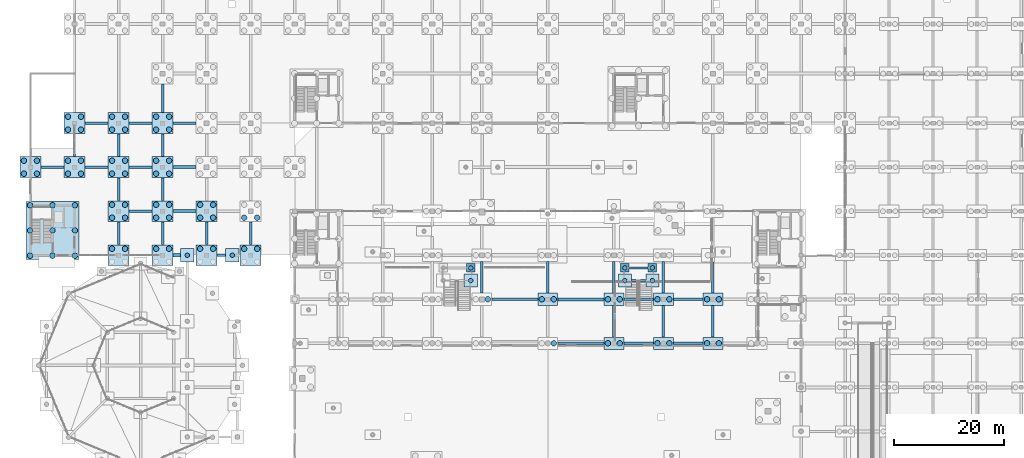
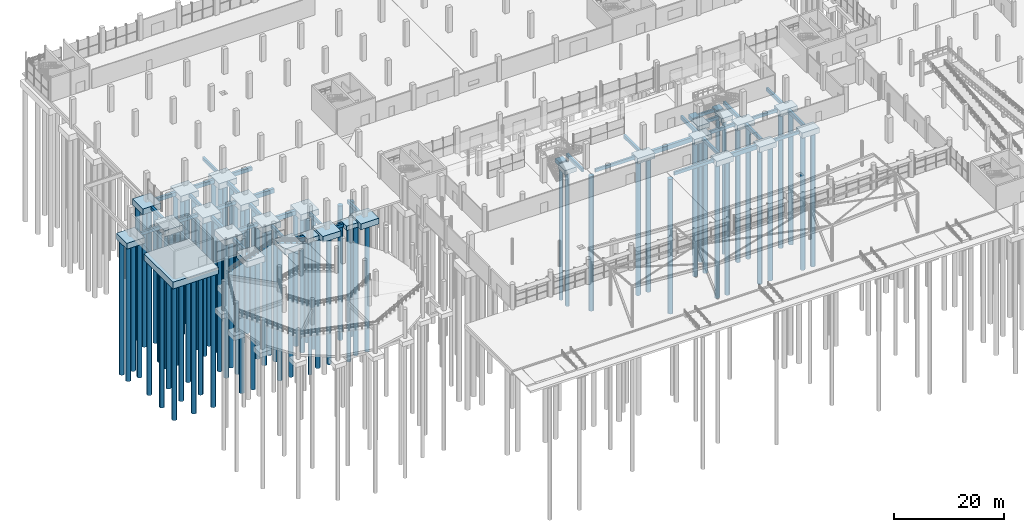
# One storey, part 3 of 98: 83 piles, 68 footings.
"""IFC4 building model written with IfcOpenShell, lengths in metres."""

from ifc_helpers import new_model, si_unit, derived_unit, direction, frame, origin, origin_2d, place, context, subcontext, project, spatial, rectangle, circle, extrude, material, layer, layer_set, material_profile, profile_set, type_object, element, save


model = new_model("IFC4")

# Units and contexts
model_context = context("Model", 3, precision=1e-05, world=origin(), true_north=direction((0.0, 1.0)))
body_context = subcontext(model_context, "Body", "Model", "MODEL_VIEW")
ifc_project = project(units=[si_unit("LENGTHUNIT", "METRE"), si_unit("AREAUNIT", "SQUARE_METRE"), si_unit("VOLUMEUNIT", "CUBIC_METRE"), si_unit("PLANEANGLEUNIT", "RADIAN"), si_unit("MASSUNIT", "GRAM", prefix="KILO"), si_unit("THERMODYNAMICTEMPERATUREUNIT", "KELVIN"), derived_unit("THERMALTRANSMITTANCEUNIT", [(si_unit("POWERUNIT", "WATT"), 1), (si_unit("AREAUNIT", "SQUARE_METRE"), -1), (si_unit("THERMODYNAMICTEMPERATUREUNIT", "KELVIN"), -1)])], contexts=[model_context])

# Site, building, storey
site_placement = place(None, origin())
site = spatial("IfcSite", under=ifc_project, at=site_placement, CompositionType="ELEMENT")
building_placement = place(site_placement, origin())
building = spatial("IfcBuilding", under=site, at=building_placement, Name="Haiyu Intermodal Mobility Hub", CompositionType="ELEMENT")
storey_placement = place(building_placement, origin())
storey = spatial("IfcBuildingStorey", under=building, at=storey_placement, Name="L00", CompositionType="ELEMENT", Elevation=0.0)

# Footings
ifc_material = material(Name="Concrete C40", Category="concrete")
ifc_layer_1 = layer(ifc_material, 1.300048828125)
ifc_layer_set_1 = layer_set([ifc_layer_1], Name="Concrete C40")
footing_type_1 = type_object("IfcFootingType", Name="CAP-PC03", PredefinedType="PILE_CAP", material=ifc_layer_set_1)
for number, where, z_axis, x_axis, name in (
    (1, (22.0, 104.0, -2.2001953125), (0.0, 0.0, 1.0), (1.0, 0.0, 0.0), "Pile Cap CAP-V4-2M"),
    (2, (30.0, 104.0, -2.2001953125), (0.0, 0.0, 1.0), (1.0, 0.0, 0.0), "Pile Cap CAP-V4-3M"),
    (3, (38.0, 104.0, -2.2001953125), (0.0, 0.0, 1.0), (1.0, 0.0, 0.0), "Pile Cap CAP-V4-4M"),
    (4, (14.0, 96.0, -2.2001953125), (0.0, 0.0, 1.0), (1.0, 0.0, 0.0), "Pile Cap CAP-V4W-1L"),
    (5, (22.0, 96.0, -2.2001953125), (0.0, 0.0, 1.0), (1.0, 0.0, 0.0), "Pile Cap CAP-V4W-2L"),
    (6, (30.0, 80.0, -2.2001953125), (0.0, 0.0, 1.0), (1.0, 0.0, 0.0), "Pile Cap CAP-V4W-3J"),
    (7, (30.0, 88.0, -2.2001953125), (0.0, 0.0, 1.0), (1.0, 0.0, 0.0), "Pile Cap CAP-V4W-3K"),
    (8, (30.0, 96.0, -2.2001953125), (0.0, 0.0, 1.0), (1.0, 0.0, 0.0), "Pile Cap CAP-V4W-3L"),
    (9, (38.0, 80.0, -2.2001953125), (0.0, 0.0, 1.0), (1.0, 0.0, 0.0), "Pile Cap CAP-V4W-4J"),
    (10, (38.0, 88.0, -2.2001953125), (0.0, 0.0, 1.0), (1.0, 0.0, 0.0), "Pile Cap CAP-V4W-4K"),
    (11, (38.0, 96.0, -2.2001953125), (0.0, 0.0, 1.0), (1.0, 0.0, 0.0), "Pile Cap CAP-V4W-4L"),
    (12, (46.0, 80.0, -2.2001953125), (0.0, 0.0, 1.0), (1.0, 0.0, 0.0), "Pile Cap CAP-V4W-5J"),
    (13, (46.0, 88.0, -2.2001953125), (0.0, 0.0, 1.0), (1.0, 0.0, 0.0), "Pile Cap CAP-V4W-5K"),
    (14, (54.0, 80.0, -2.2001953125), (0.0, 0.0, 1.0), (1.0, 0.0, 0.0), "Pile Cap CAP-V4W-6J"),
):
    element("IfcFooting", number, at=place(storey_placement, frame(where, z_axis=z_axis, x_axis=x_axis)), inside=storey, type_object=footing_type_1, Name=name, PredefinedType="PILE_CAP", context=body_context, shape_type="SweptSolid", body=[
        extrude(rectangle(XDim=3.800048828125, YDim=3.800048828125, at=origin_2d()), origin(), (0.0, 0.0, 1.0), 1.300048828125),
    ])
ifc_layer_2 = layer(ifc_material, 1.199951171875)
ifc_layer_set_2 = layer_set([ifc_layer_2], Name="Concrete C40")
footing_type_2 = type_object("IfcFootingType", Name="CAP-PC04", PredefinedType="PILE_CAP", material=ifc_layer_set_2)
for number, where, z_axis, x_axis, name in (
    (15, (108.0, 72.0, -2.10009765625), (0.0, 0.0, 1.0), (1.0, 0.0, 0.0), "Pile Cap CAP-V1-12H"),
    (16, (120.0, 64.0, -2.10009765625), (0.0, 0.0, 1.0), (1.0, 0.0, 0.0), "Pile Cap CAP-V1-13G"),
    (17, (120.0, 72.0, -2.10009765625), (0.0, 0.0, 1.0), (1.0, 0.0, 0.0), "Pile Cap CAP-V1-13H"),
    (18, (129.0, 64.0, -2.10009765625), (0.0, 0.0, 1.0), (1.0, 0.0, 0.0), "Pile Cap CAP-V1-14G"),
    (19, (129.0, 72.0, -2.10009765625), (0.0, 0.0, 1.0), (1.0, 0.0, 0.0), "Pile Cap CAP-V1-14H"),
    (20, (138.0, 64.0, -2.10009765625), (0.0, 0.0, 1.0), (1.0, 0.0, 0.0), "Pile Cap CAP-V1-15G"),
    (21, (138.0, 72.0, -2.10009765625), (0.0, 0.0, 1.0), (1.0, 0.0, 0.0), "Pile Cap CAP-V1-15H"),
):
    element("IfcFooting", number, at=place(storey_placement, frame(where, z_axis=z_axis, x_axis=x_axis)), inside=storey, type_object=footing_type_2, Name=name, PredefinedType="PILE_CAP", context=body_context, shape_type="SweptSolid", body=[
        extrude(rectangle(XDim=3.60009765625, YDim=2.199951171875, at=origin_2d()), origin(), (0.0, 0.0, 1.0), 1.199951171875),
    ])
ifc_layer_3 = layer(ifc_material, 1.0)
ifc_layer_set_3 = layer_set([ifc_layer_3], Name="Concrete C40")
footing_type_3 = type_object("IfcFootingType", Name="CAP-PC10", PredefinedType="PILE_CAP", material=ifc_layer_set_3)
for number, where, z_axis, x_axis, name in (
    (22, (94.0, 75.39990234375, -1.89990234375), (0.0, 0.0, 1.0), (1.0, 0.0, 0.0), "Pile Cap CAP-MST1-ES"),
    (23, (122.0, 75.39990234375, -1.89990234375), (0.0, 0.0, 1.0), (1.0, 0.0, 0.0), "Pile Cap CAP-MST2-WS"),
    (24, (127.0, 75.39990234375, -1.89990234375), (0.0, 0.0, 1.0), (1.0, 0.0, 0.0), "Pile Cap CAP-MST2-ES"),
    (25, (50.679931640625, 80.0, -1.89990234375), (0.0, 0.0, 1.0), (1.0, 0.0, 0.0), "Pile Cap CAP-V2L-4"),
    (26, (42.5, 80.0, -1.89990234375), (0.0, 0.0, 1.0), (1.0, 0.0, 0.0), "Pile Cap CAP-V2LW-4"),
):
    element("IfcFooting", number, at=place(storey_placement, frame(where, z_axis=z_axis, x_axis=x_axis)), inside=storey, type_object=footing_type_3, Name=name, PredefinedType="PILE_CAP", context=body_context, shape_type="SweptSolid", body=[
        extrude(rectangle(XDim=2.39990234375, YDim=2.39990234375, at=origin_2d()), origin(), (0.0, 0.0, 1.0), 1.0),
    ])
ifc_layer_4 = layer(ifc_material, 1.5)
ifc_layer_set_4 = layer_set([ifc_layer_4], Name="Concrete C40")
footing_type_4 = type_object("IfcFootingType", Name="CAP-PC16", PredefinedType="PILE_CAP", material=ifc_layer_set_4)
footing_1_placement = place(storey_placement, frame((18.0, 84.5, -2.39990234375), z_axis=(0.0, 0.0, 1.0), x_axis=(1.0, 0.0, 0.0)))
element("IfcFooting", 27, at=footing_1_placement, inside=storey, type_object=footing_type_4, Name="Pile Cap CAP-CORE-C7", PredefinedType="PILE_CAP", context=body_context, shape_type="SweptSolid", body=[
    extrude(rectangle(XDim=9.60009765625, YDim=10.60009765625, at=origin_2d()), origin(), (0.0, 0.0, 1.0), 1.5),
])
ifc_layer_5 = layer(ifc_material, 0.949951171875)
ifc_layer_set_5 = layer_set([ifc_layer_5], Name="Concrete C40")
footing_type_5 = type_object("IfcFootingType", Name="CAP-PC17", PredefinedType="PILE_CAP", material=ifc_layer_set_5)
for number, where, z_axis, x_axis, name in (
    (28, (94.0, 77.699951171875, -1.85009765625), (0.0, 0.0, 1.0), (1.0, 0.0, 0.0), "Pile Cap CAP-MST1-EN"),
    (29, (122.0, 77.699951171875, -1.85009765625), (0.0, 0.0, 1.0), (1.0, 0.0, 0.0), "Pile Cap CAP-MST2-WN"),
    (30, (127.0, 77.699951171875, -1.85009765625), (0.0, 0.0, 1.0), (1.0, 0.0, 0.0), "Pile Cap CAP-MST2-EN"),
):
    element("IfcFooting", number, at=place(storey_placement, frame(where, z_axis=z_axis, x_axis=x_axis)), inside=storey, type_object=footing_type_5, Name=name, PredefinedType="PILE_CAP", context=body_context, shape_type="SweptSolid", body=[
        extrude(rectangle(XDim=1.550048828125, YDim=1.550048828125, at=origin_2d()), origin(), (0.0, 0.0, 1.0), 0.949951171875),
    ])
ifc_material_profile_1 = material_profile(ifc_material, rectangle(XDim=0.5, YDim=0.85009765625, at=origin_2d()), Name="FB500x850")
ifc_profile_set_1 = profile_set([ifc_material_profile_1], Name="Concrete C40")
footing_type_6 = type_object("IfcFootingType", Name="FBM-FB01", PredefinedType="FOOTING_BEAM", material=ifc_profile_set_1)
for number, where, z_axis, x_axis, name in (
    (31, (23.929931640625, 104.0, -1.324951171875), (1.0, 0.0, 0.0), (0.0, 1.0, 0.0), "Foundation Tie Beam FBM-X-140"),
    (32, (31.929931640625, 104.0, -1.324951171875), (1.0, 0.0, 0.0), (0.0, 1.0, 0.0), "Foundation Tie Beam FBM-X-141"),
    (33, (39.929931640625, 104.0, -1.324951171875), (1.0, 0.0, 0.0), (0.0, 1.0, 0.0), "Foundation Tie Beam FBM-X-142"),
):
    element("IfcFooting", number, at=place(storey_placement, frame(where, z_axis=z_axis, x_axis=x_axis)), inside=storey, type_object=footing_type_6, Name=name, PredefinedType="FOOTING_BEAM", context=body_context, shape_type="SweptSolid", body=[
        extrude(rectangle(XDim=0.5, YDim=0.85009765625, at=origin_2d()), origin(), (0.0, 0.0, 1.0), 4.14013671875),
    ])
ifc_material_profile_2 = material_profile(ifc_material, rectangle(XDim=0.449951171875, YDim=0.75, at=origin_2d()), Name="FB450x750")
ifc_profile_set_2 = profile_set([ifc_material_profile_2], Name="Concrete C40")
footing_type_7 = type_object("IfcFootingType", Name="FBM-FB02", PredefinedType="FOOTING_BEAM", material=ifc_profile_set_2)
for number, where, z_axis, x_axis, name in (
    (34, (22.0, 97.929931640625, -1.27490234375), (0.0, 1.0, 0.0), (-1.0, 0.0, 0.0), "Foundation Tie Beam FBM-Y-231"),
    (35, (30.0, 81.929931640625, -1.27490234375), (0.0, 1.0, 0.0), (-1.0, 0.0, 0.0), "Foundation Tie Beam FBM-Y-236"),
    (36, (30.0, 89.929931640625, -1.27490234375), (0.0, 1.0, 0.0), (-1.0, 0.0, 0.0), "Foundation Tie Beam FBM-Y-237"),
    (37, (30.0, 97.929931640625, -1.27490234375), (0.0, 1.0, 0.0), (-1.0, 0.0, 0.0), "Foundation Tie Beam FBM-Y-238"),
    (38, (38.0, 81.929931640625, -1.27490234375), (0.0, 1.0, 0.0), (-1.0, 0.0, 0.0), "Foundation Tie Beam FBM-Y-245"),
    (39, (38.0, 89.929931640625, -1.27490234375), (0.0, 1.0, 0.0), (-1.0, 0.0, 0.0), "Foundation Tie Beam FBM-Y-246"),
    (40, (38.0, 97.929931640625, -1.27490234375), (0.0, 1.0, 0.0), (-1.0, 0.0, 0.0), "Foundation Tie Beam FBM-Y-247"),
):
    element("IfcFooting", number, at=place(storey_placement, frame(where, z_axis=z_axis, x_axis=x_axis)), inside=storey, type_object=footing_type_7, Name=name, PredefinedType="FOOTING_BEAM", context=body_context, shape_type="SweptSolid", body=[
        extrude(rectangle(XDim=0.449951171875, YDim=0.75, at=origin_2d()), origin(), (0.0, 0.0, 1.0), 4.14013671875),
    ])
footing_2_placement = place(storey_placement, frame((38.0, 105.929931640625, -1.27490234375), z_axis=(0.0, 1.0, 0.0), x_axis=(-1.0, 0.0, 0.0)))
element("IfcFooting", 41, at=footing_2_placement, inside=storey, type_object=footing_type_7, Name="Foundation Tie Beam FBM-Y-248", PredefinedType="FOOTING_BEAM", context=body_context, shape_type="SweptSolid", body=[
    extrude(rectangle(XDim=0.449951171875, YDim=0.75, at=origin_2d()), origin(), (0.0, 0.0, 1.0), 5.14013671875),
])
for number, where, z_axis, x_axis, name in (
    (42, (46.0, 81.929931640625, -1.27490234375), (0.0, 1.0, 0.0), (-1.0, 0.0, 0.0), "Foundation Tie Beam FBM-Y-258"),
    (43, (54.0, 81.929931640625, -1.27490234375), (0.0, 1.0, 0.0), (-1.0, 0.0, 0.0), "Foundation Tie Beam FBM-Y-268"),
):
    element("IfcFooting", number, at=place(storey_placement, frame(where, z_axis=z_axis, x_axis=x_axis)), inside=storey, type_object=footing_type_7, Name=name, PredefinedType="FOOTING_BEAM", context=body_context, shape_type="SweptSolid", body=[
        extrude(rectangle(XDim=0.449951171875, YDim=0.75, at=origin_2d()), origin(), (0.0, 0.0, 1.0), 4.14013671875),
    ])
for number, where, z_axis, x_axis, name in (
    (44, (96.0, 73.1298828125, -1.27490234375), (0.0, 1.0, 0.0), (-1.0, 0.0, 0.0), "Foundation Tie Beam FBM-Y-302"),
    (45, (108.0, 73.1298828125, -1.27490234375), (0.0, 1.0, 0.0), (-1.0, 0.0, 0.0), "Foundation Tie Beam FBM-Y-311"),
    (46, (120.0, 65.1298828125, -1.27490234375), (0.0, 1.0, 0.0), (-1.0, 0.0, 0.0), "Foundation Tie Beam FBM-Y-321"),
    (47, (120.0, 73.1298828125, -1.27490234375), (0.0, 1.0, 0.0), (-1.0, 0.0, 0.0), "Foundation Tie Beam FBM-Y-322"),
    (48, (129.0, 65.1298828125, -1.27490234375), (0.0, 1.0, 0.0), (-1.0, 0.0, 0.0), "Foundation Tie Beam FBM-Y-326"),
    (49, (129.0, 73.1298828125, -1.27490234375), (0.0, 1.0, 0.0), (-1.0, 0.0, 0.0), "Foundation Tie Beam FBM-Y-327"),
    (50, (138.0, 65.1298828125, -1.27490234375), (0.0, 1.0, 0.0), (-1.0, 0.0, 0.0), "Foundation Tie Beam FBM-Y-332"),
):
    element("IfcFooting", number, at=place(storey_placement, frame(where, z_axis=z_axis, x_axis=x_axis)), inside=storey, type_object=footing_type_7, Name=name, PredefinedType="FOOTING_BEAM", context=body_context, shape_type="SweptSolid", body=[
        extrude(rectangle(XDim=0.449951171875, YDim=0.75, at=origin_2d()), origin(), (0.0, 0.0, 1.0), 5.740234375),
    ])
footing_3_placement = place(storey_placement, frame((138.0, 73.1298828125, -1.27490234375), z_axis=(0.0, 1.0, 0.0), x_axis=(-1.0, 0.0, 0.0)))
element("IfcFooting", 51, at=footing_3_placement, inside=storey, type_object=footing_type_7, Name="Foundation Tie Beam FBM-Y-333", PredefinedType="FOOTING_BEAM", context=body_context, shape_type="SweptSolid", body=[
    extrude(rectangle(XDim=0.449951171875, YDim=0.75, at=origin_2d()), origin(), (0.0, 0.0, 1.0), 5.64013671875),
])
ifc_material_profile_3 = material_profile(ifc_material, rectangle(XDim=0.39990234375, YDim=0.699951171875, at=origin_2d()), Name="FB400x700")
ifc_profile_set_3 = profile_set([ifc_material_profile_3], Name="Concrete C40")
footing_type_8 = type_object("IfcFootingType", Name="FBM-FB03", PredefinedType="FOOTING_BEAM", material=ifc_profile_set_3)
footing_4_placement = place(storey_placement, frame((109.830078125, 64.0, -1.25), z_axis=(1.0, 0.0, 0.0), x_axis=(0.0, 1.0, 0.0)))
element("IfcFooting", 52, at=footing_4_placement, inside=storey, type_object=footing_type_8, Name="Foundation Tie Beam FBM-X-067", PredefinedType="FOOTING_BEAM", context=body_context, shape_type="SweptSolid", body=[
    extrude(rectangle(XDim=0.39990234375, YDim=0.699951171875, at=origin_2d()), origin(), (0.0, 0.0, 1.0), 8.33984375),
])
footing_5_placement = place(storey_placement, frame((130.830078125, 64.0, -1.25), z_axis=(1.0, 0.0, 0.0), x_axis=(0.0, 1.0, 0.0)))
element("IfcFooting", 53, at=footing_5_placement, inside=storey, type_object=footing_type_8, Name="Foundation Tie Beam FBM-X-069", PredefinedType="FOOTING_BEAM", context=body_context, shape_type="SweptSolid", body=[
    extrude(rectangle(XDim=0.39990234375, YDim=0.699951171875, at=origin_2d()), origin(), (0.0, 0.0, 1.0), 5.33984375),
])
footing_6_placement = place(storey_placement, frame((97.830078125, 72.0, -1.25), z_axis=(1.0, 0.0, 0.0), x_axis=(0.0, 1.0, 0.0)))
element("IfcFooting", 54, at=footing_6_placement, inside=storey, type_object=footing_type_8, Name="Foundation Tie Beam FBM-X-083", PredefinedType="FOOTING_BEAM", context=body_context, shape_type="SweptSolid", body=[
    extrude(rectangle(XDim=0.39990234375, YDim=0.699951171875, at=origin_2d()), origin(), (0.0, 0.0, 1.0), 8.33984375),
])
for number, where, z_axis, x_axis, name in (
    (55, (121.830078125, 72.0, -1.25), (1.0, 0.0, 0.0), (0.0, 1.0, 0.0), "Foundation Tie Beam FBM-X-085"),
    (56, (130.830078125, 72.0, -1.25), (1.0, 0.0, 0.0), (0.0, 1.0, 0.0), "Foundation Tie Beam FBM-X-086"),
):
    element("IfcFooting", number, at=place(storey_placement, frame(where, z_axis=z_axis, x_axis=x_axis)), inside=storey, type_object=footing_type_8, Name=name, PredefinedType="FOOTING_BEAM", context=body_context, shape_type="SweptSolid", body=[
        extrude(rectangle(XDim=0.39990234375, YDim=0.699951171875, at=origin_2d()), origin(), (0.0, 0.0, 1.0), 5.33984375),
    ])
footing_7_placement = place(storey_placement, frame((123.22998046875, 75.39990234375, -1.25), z_axis=(1.0, 0.0, 0.0), x_axis=(0.0, 1.0, 0.0)))
element("IfcFooting", 57, at=footing_7_placement, inside=storey, type_object=footing_type_8, Name="Foundation Tie Beam FBM-X-095", PredefinedType="FOOTING_BEAM", context=body_context, shape_type="SweptSolid", body=[
    extrude(rectangle(XDim=0.39990234375, YDim=0.699951171875, at=origin_2d()), origin(), (0.0, 0.0, 1.0), 2.5400390625),
])
footing_8_placement = place(storey_placement, frame((122.804931640625, 77.699951171875, -1.25), z_axis=(1.0, 0.0, 0.0), x_axis=(0.0, 1.0, 0.0)))
element("IfcFooting", 58, at=footing_8_placement, inside=storey, type_object=footing_type_8, Name="Foundation Tie Beam FBM-X-099", PredefinedType="FOOTING_BEAM", context=body_context, shape_type="SweptSolid", body=[
    extrude(rectangle(XDim=0.39990234375, YDim=0.699951171875, at=origin_2d()), origin(), (0.0, 0.0, 1.0), 3.39013671875),
])
footing_9_placement = place(storey_placement, frame((47.929931640625, 80.0, -1.25), z_axis=(1.0, 0.0, 0.0), x_axis=(0.0, 1.0, 0.0)))
element("IfcFooting", 59, at=footing_9_placement, inside=storey, type_object=footing_type_8, Name="Foundation Tie Beam FBM-X-101", PredefinedType="FOOTING_BEAM", context=body_context, shape_type="SweptSolid", body=[
    extrude(rectangle(XDim=0.39990234375, YDim=0.699951171875, at=origin_2d()), origin(), (0.0, 0.0, 1.0), 1.52001953125),
])
for number, where, z_axis, x_axis, name in (
    (60, (31.929931640625, 88.0, -1.25), (1.0, 0.0, 0.0), (0.0, 1.0, 0.0), "Foundation Tie Beam FBM-X-115"),
    (61, (15.929931640625, 96.0, -1.25), (1.0, 0.0, 0.0), (0.0, 1.0, 0.0), "Foundation Tie Beam FBM-X-125"),
    (62, (23.929931640625, 96.0, -1.25), (1.0, 0.0, 0.0), (0.0, 1.0, 0.0), "Foundation Tie Beam FBM-X-126"),
    (63, (31.929931640625, 96.0, -1.25), (1.0, 0.0, 0.0), (0.0, 1.0, 0.0), "Foundation Tie Beam FBM-X-127"),
):
    element("IfcFooting", number, at=place(storey_placement, frame(where, z_axis=z_axis, x_axis=x_axis)), inside=storey, type_object=footing_type_8, Name=name, PredefinedType="FOOTING_BEAM", context=body_context, shape_type="SweptSolid", body=[
        extrude(rectangle(XDim=0.39990234375, YDim=0.699951171875, at=origin_2d()), origin(), (0.0, 0.0, 1.0), 4.14013671875),
    ])
ifc_material_profile_4 = material_profile(ifc_material, rectangle(XDim=0.550048828125, YDim=0.949951171875, at=origin_2d()), Name="FB550x950")
ifc_profile_set_4 = profile_set([ifc_material_profile_4], Name="Concrete C40")
footing_type_9 = type_object("IfcFootingType", Name="FBM-FB04", PredefinedType="FOOTING_BEAM", material=ifc_profile_set_4)
footing_10_placement = place(storey_placement, frame((121.830078125, 64.0, -1.375), z_axis=(1.0, 0.0, 0.0), x_axis=(0.0, 1.0, 0.0)))
element("IfcFooting", 64, at=footing_10_placement, inside=storey, type_object=footing_type_9, Name="Foundation Tie Beam FBM-X-068", PredefinedType="FOOTING_BEAM", context=body_context, shape_type="SweptSolid", body=[
    extrude(rectangle(XDim=0.550048828125, YDim=0.949951171875, at=origin_2d()), origin(), (0.0, 0.0, 1.0), 5.33984375),
])
footing_11_placement = place(storey_placement, frame((109.830078125, 72.0, -1.375), z_axis=(1.0, 0.0, 0.0), x_axis=(0.0, 1.0, 0.0)))
element("IfcFooting", 65, at=footing_11_placement, inside=storey, type_object=footing_type_9, Name="Foundation Tie Beam FBM-X-084", PredefinedType="FOOTING_BEAM", context=body_context, shape_type="SweptSolid", body=[
    extrude(rectangle(XDim=0.550048828125, YDim=0.949951171875, at=origin_2d()), origin(), (0.0, 0.0, 1.0), 8.33984375),
])
footing_12_placement = place(storey_placement, frame((39.929931640625, 80.0, -1.375), z_axis=(1.0, 0.0, 0.0), x_axis=(0.0, 1.0, 0.0)))
element("IfcFooting", 66, at=footing_12_placement, inside=storey, type_object=footing_type_9, Name="Foundation Tie Beam FBM-X-100", PredefinedType="FOOTING_BEAM", context=body_context, shape_type="SweptSolid", body=[
    extrude(rectangle(XDim=0.550048828125, YDim=0.949951171875, at=origin_2d()), origin(), (0.0, 0.0, 1.0), 1.340087890625),
])
for number, where, z_axis, x_axis, name in (
    (67, (39.929931640625, 88.0, -1.375), (1.0, 0.0, 0.0), (0.0, 1.0, 0.0), "Foundation Tie Beam FBM-X-116"),
    (68, (39.929931640625, 96.0, -1.375), (1.0, 0.0, 0.0), (0.0, 1.0, 0.0), "Foundation Tie Beam FBM-X-128"),
):
    element("IfcFooting", number, at=place(storey_placement, frame(where, z_axis=z_axis, x_axis=x_axis)), inside=storey, type_object=footing_type_9, Name=name, PredefinedType="FOOTING_BEAM", context=body_context, shape_type="SweptSolid", body=[
        extrude(rectangle(XDim=0.550048828125, YDim=0.949951171875, at=origin_2d()), origin(), (0.0, 0.0, 1.0), 4.14013671875),
    ])

# Piles
ifc_material_profile_5 = material_profile(ifc_material, circle(Radius=0.5, at=origin_2d()), Name="PILE-D1000")
ifc_profile_set_5 = profile_set([ifc_material_profile_5], Name="Concrete C40")
pile_type_1 = type_object("IfcPileType", Name="PILE-PL02", PredefinedType="BORED", material=ifc_profile_set_5)
for number, where, z_axis, x_axis, name in (
    (69, (13.919921875, 79.919921875, -2.300048828125), (0.0, 0.0, -1.0), (1.0, 0.0, 0.0), "Bored Pile CAP-CORE-C7-P1"),
    (70, (13.919921875, 84.5, -2.300048828125), (0.0, 0.0, -1.0), (1.0, 0.0, 0.0), "Bored Pile CAP-CORE-C7-P2"),
    (71, (13.919921875, 89.080078125, -2.300048828125), (0.0, 0.0, -1.0), (1.0, 0.0, 0.0), "Bored Pile CAP-CORE-C7-P3"),
    (72, (18.0, 79.919921875, -2.300048828125), (0.0, 0.0, -1.0), (1.0, 0.0, 0.0), "Bored Pile CAP-CORE-C7-P4"),
    (73, (18.0, 84.5, -2.300048828125), (0.0, 0.0, -1.0), (1.0, 0.0, 0.0), "Bored Pile CAP-CORE-C7-P5"),
    (74, (18.0, 89.080078125, -2.300048828125), (0.0, 0.0, -1.0), (1.0, 0.0, 0.0), "Bored Pile CAP-CORE-C7-P6"),
    (75, (22.080078125, 79.919921875, -2.300048828125), (0.0, 0.0, -1.0), (1.0, 0.0, 0.0), "Bored Pile CAP-CORE-C7-P7"),
    (76, (22.080078125, 84.5, -2.300048828125), (0.0, 0.0, -1.0), (1.0, 0.0, 0.0), "Bored Pile CAP-CORE-C7-P8"),
    (77, (22.080078125, 89.080078125, -2.300048828125), (0.0, 0.0, -1.0), (1.0, 0.0, 0.0), "Bored Pile CAP-CORE-C7-P9"),
):
    element("IfcPile", number, at=place(storey_placement, frame(where, z_axis=z_axis, x_axis=x_axis)), inside=storey, type_object=pile_type_1, Name=name, PredefinedType="BORED", context=body_context, shape_type="SweptSolid", body=[
        extrude(circle(Radius=0.5, at=origin_2d()), origin(), (0.0, 0.0, 1.0), 29.699951171875),
    ])
for number, where, z_axis, x_axis, name in (
    (78, (20.820068359375, 102.820068359375, -2.10009765625), (0.0, 0.0, -1.0), (1.0, 0.0, 0.0), "Bored Pile CAP-V4-2M-P1"),
    (79, (23.179931640625, 102.820068359375, -2.10009765625), (0.0, 0.0, -1.0), (1.0, 0.0, 0.0), "Bored Pile CAP-V4-2M-P2"),
    (80, (20.820068359375, 105.179931640625, -2.10009765625), (0.0, 0.0, -1.0), (1.0, 0.0, 0.0), "Bored Pile CAP-V4-2M-P3"),
    (81, (23.179931640625, 105.179931640625, -2.10009765625), (0.0, 0.0, -1.0), (1.0, 0.0, 0.0), "Bored Pile CAP-V4-2M-P4"),
    (82, (28.820068359375, 102.820068359375, -2.10009765625), (0.0, 0.0, -1.0), (1.0, 0.0, 0.0), "Bored Pile CAP-V4-3M-P1"),
    (83, (31.179931640625, 102.820068359375, -2.10009765625), (0.0, 0.0, -1.0), (1.0, 0.0, 0.0), "Bored Pile CAP-V4-3M-P2"),
    (84, (28.820068359375, 105.179931640625, -2.10009765625), (0.0, 0.0, -1.0), (1.0, 0.0, 0.0), "Bored Pile CAP-V4-3M-P3"),
    (85, (31.179931640625, 105.179931640625, -2.10009765625), (0.0, 0.0, -1.0), (1.0, 0.0, 0.0), "Bored Pile CAP-V4-3M-P4"),
    (86, (36.820068359375, 102.820068359375, -2.10009765625), (0.0, 0.0, -1.0), (1.0, 0.0, 0.0), "Bored Pile CAP-V4-4M-P1"),
    (87, (39.179931640625, 102.820068359375, -2.10009765625), (0.0, 0.0, -1.0), (1.0, 0.0, 0.0), "Bored Pile CAP-V4-4M-P2"),
    (88, (36.820068359375, 105.179931640625, -2.10009765625), (0.0, 0.0, -1.0), (1.0, 0.0, 0.0), "Bored Pile CAP-V4-4M-P3"),
    (89, (39.179931640625, 105.179931640625, -2.10009765625), (0.0, 0.0, -1.0), (1.0, 0.0, 0.0), "Bored Pile CAP-V4-4M-P4"),
    (90, (12.820068359375, 94.820068359375, -2.10009765625), (0.0, 0.0, -1.0), (1.0, 0.0, 0.0), "Bored Pile CAP-V4W-1L-P1"),
    (91, (15.179931640625, 94.820068359375, -2.10009765625), (0.0, 0.0, -1.0), (1.0, 0.0, 0.0), "Bored Pile CAP-V4W-1L-P2"),
    (92, (12.820068359375, 97.179931640625, -2.10009765625), (0.0, 0.0, -1.0), (1.0, 0.0, 0.0), "Bored Pile CAP-V4W-1L-P3"),
    (93, (15.179931640625, 97.179931640625, -2.10009765625), (0.0, 0.0, -1.0), (1.0, 0.0, 0.0), "Bored Pile CAP-V4W-1L-P4"),
    (94, (20.820068359375, 94.820068359375, -2.10009765625), (0.0, 0.0, -1.0), (1.0, 0.0, 0.0), "Bored Pile CAP-V4W-2L-P1"),
    (95, (23.179931640625, 94.820068359375, -2.10009765625), (0.0, 0.0, -1.0), (1.0, 0.0, 0.0), "Bored Pile CAP-V4W-2L-P2"),
    (96, (20.820068359375, 97.179931640625, -2.10009765625), (0.0, 0.0, -1.0), (1.0, 0.0, 0.0), "Bored Pile CAP-V4W-2L-P3"),
    (97, (23.179931640625, 97.179931640625, -2.10009765625), (0.0, 0.0, -1.0), (1.0, 0.0, 0.0), "Bored Pile CAP-V4W-2L-P4"),
    (98, (28.820068359375, 81.179931640625, -2.10009765625), (0.0, 0.0, -1.0), (1.0, 0.0, 0.0), "Bored Pile CAP-V4W-3J-P3"),
    (99, (31.179931640625, 81.179931640625, -2.10009765625), (0.0, 0.0, -1.0), (1.0, 0.0, 0.0), "Bored Pile CAP-V4W-3J-P4"),
    (100, (28.820068359375, 86.820068359375, -2.10009765625), (0.0, 0.0, -1.0), (1.0, 0.0, 0.0), "Bored Pile CAP-V4W-3K-P1"),
    (101, (31.179931640625, 86.820068359375, -2.10009765625), (0.0, 0.0, -1.0), (1.0, 0.0, 0.0), "Bored Pile CAP-V4W-3K-P2"),
    (102, (28.820068359375, 89.179931640625, -2.10009765625), (0.0, 0.0, -1.0), (1.0, 0.0, 0.0), "Bored Pile CAP-V4W-3K-P3"),
    (103, (31.179931640625, 89.179931640625, -2.10009765625), (0.0, 0.0, -1.0), (1.0, 0.0, 0.0), "Bored Pile CAP-V4W-3K-P4"),
    (104, (28.820068359375, 94.820068359375, -2.10009765625), (0.0, 0.0, -1.0), (1.0, 0.0, 0.0), "Bored Pile CAP-V4W-3L-P1"),
    (105, (31.179931640625, 94.820068359375, -2.10009765625), (0.0, 0.0, -1.0), (1.0, 0.0, 0.0), "Bored Pile CAP-V4W-3L-P2"),
    (106, (28.820068359375, 97.179931640625, -2.10009765625), (0.0, 0.0, -1.0), (1.0, 0.0, 0.0), "Bored Pile CAP-V4W-3L-P3"),
    (107, (31.179931640625, 97.179931640625, -2.10009765625), (0.0, 0.0, -1.0), (1.0, 0.0, 0.0), "Bored Pile CAP-V4W-3L-P4"),
    (108, (36.820068359375, 81.179931640625, -2.10009765625), (0.0, 0.0, -1.0), (1.0, 0.0, 0.0), "Bored Pile CAP-V4W-4J-P3"),
    (109, (39.179931640625, 81.179931640625, -2.10009765625), (0.0, 0.0, -1.0), (1.0, 0.0, 0.0), "Bored Pile CAP-V4W-4J-P4"),
    (110, (36.820068359375, 86.820068359375, -2.10009765625), (0.0, 0.0, -1.0), (1.0, 0.0, 0.0), "Bored Pile CAP-V4W-4K-P1"),
    (111, (39.179931640625, 86.820068359375, -2.10009765625), (0.0, 0.0, -1.0), (1.0, 0.0, 0.0), "Bored Pile CAP-V4W-4K-P2"),
    (112, (36.820068359375, 89.179931640625, -2.10009765625), (0.0, 0.0, -1.0), (1.0, 0.0, 0.0), "Bored Pile CAP-V4W-4K-P3"),
    (113, (39.179931640625, 89.179931640625, -2.10009765625), (0.0, 0.0, -1.0), (1.0, 0.0, 0.0), "Bored Pile CAP-V4W-4K-P4"),
    (114, (36.820068359375, 94.820068359375, -2.10009765625), (0.0, 0.0, -1.0), (1.0, 0.0, 0.0), "Bored Pile CAP-V4W-4L-P1"),
    (115, (39.179931640625, 94.820068359375, -2.10009765625), (0.0, 0.0, -1.0), (1.0, 0.0, 0.0), "Bored Pile CAP-V4W-4L-P2"),
    (116, (36.820068359375, 97.179931640625, -2.10009765625), (0.0, 0.0, -1.0), (1.0, 0.0, 0.0), "Bored Pile CAP-V4W-4L-P3"),
    (117, (39.179931640625, 97.179931640625, -2.10009765625), (0.0, 0.0, -1.0), (1.0, 0.0, 0.0), "Bored Pile CAP-V4W-4L-P4"),
    (118, (44.820068359375, 81.179931640625, -2.10009765625), (0.0, 0.0, -1.0), (1.0, 0.0, 0.0), "Bored Pile CAP-V4W-5J-P3"),
    (119, (47.179931640625, 81.179931640625, -2.10009765625), (0.0, 0.0, -1.0), (1.0, 0.0, 0.0), "Bored Pile CAP-V4W-5J-P4"),
    (120, (44.820068359375, 86.820068359375, -2.10009765625), (0.0, 0.0, -1.0), (1.0, 0.0, 0.0), "Bored Pile CAP-V4W-5K-P1"),
    (121, (47.179931640625, 86.820068359375, -2.10009765625), (0.0, 0.0, -1.0), (1.0, 0.0, 0.0), "Bored Pile CAP-V4W-5K-P2"),
    (122, (44.820068359375, 89.179931640625, -2.10009765625), (0.0, 0.0, -1.0), (1.0, 0.0, 0.0), "Bored Pile CAP-V4W-5K-P3"),
    (123, (47.179931640625, 89.179931640625, -2.10009765625), (0.0, 0.0, -1.0), (1.0, 0.0, 0.0), "Bored Pile CAP-V4W-5K-P4"),
    (124, (52.820068359375, 81.179931640625, -2.10009765625), (0.0, 0.0, -1.0), (1.0, 0.0, 0.0), "Bored Pile CAP-V4W-6J-P3"),
    (125, (55.179931640625, 81.179931640625, -2.10009765625), (0.0, 0.0, -1.0), (1.0, 0.0, 0.0), "Bored Pile CAP-V4W-6J-P4"),
    (126, (52.820068359375, 86.820068359375, -2.10009765625), (0.0, 0.0, -1.0), (1.0, 0.0, 0.0), "Bored Pile CAP-V4W-6K-P1"),
    (127, (55.179931640625, 86.820068359375, -2.10009765625), (0.0, 0.0, -1.0), (1.0, 0.0, 0.0), "Bored Pile CAP-V4W-6K-P2"),
):
    element("IfcPile", number, at=place(storey_placement, frame(where, z_axis=z_axis, x_axis=x_axis)), inside=storey, type_object=pile_type_1, Name=name, PredefinedType="BORED", context=body_context, shape_type="SweptSolid", body=[
        extrude(circle(Radius=0.5, at=origin_2d()), origin(), (0.0, 0.0, 1.0), 29.89990234375),
    ])
for number, where, z_axis, x_axis, name in (
    (128, (97.080078125, 72.0, -2.0), (0.0, 0.0, -1.0), (1.0, 0.0, 0.0), "Bored Pile CAP-V1-11H-P2"),
    (129, (109.080078125, 64.0, -2.0), (0.0, 0.0, -1.0), (1.0, 0.0, 0.0), "Bored Pile CAP-V1-12G-P2"),
    (130, (106.919921875, 72.0, -2.0), (0.0, 0.0, -1.0), (1.0, 0.0, 0.0), "Bored Pile CAP-V1-12H-P1"),
    (131, (109.080078125, 72.0, -2.0), (0.0, 0.0, -1.0), (1.0, 0.0, 0.0), "Bored Pile CAP-V1-12H-P2"),
    (132, (118.919921875, 64.0, -2.0), (0.0, 0.0, -1.0), (1.0, 0.0, 0.0), "Bored Pile CAP-V1-13G-P1"),
    (133, (121.080078125, 64.0, -2.0), (0.0, 0.0, -1.0), (1.0, 0.0, 0.0), "Bored Pile CAP-V1-13G-P2"),
    (134, (118.919921875, 72.0, -2.0), (0.0, 0.0, -1.0), (1.0, 0.0, 0.0), "Bored Pile CAP-V1-13H-P1"),
    (135, (121.080078125, 72.0, -2.0), (0.0, 0.0, -1.0), (1.0, 0.0, 0.0), "Bored Pile CAP-V1-13H-P2"),
    (136, (127.919921875, 64.0, -2.0), (0.0, 0.0, -1.0), (1.0, 0.0, 0.0), "Bored Pile CAP-V1-14G-P1"),
    (137, (130.080078125, 64.0, -2.0), (0.0, 0.0, -1.0), (1.0, 0.0, 0.0), "Bored Pile CAP-V1-14G-P2"),
    (138, (127.919921875, 72.0, -2.0), (0.0, 0.0, -1.0), (1.0, 0.0, 0.0), "Bored Pile CAP-V1-14H-P1"),
    (139, (130.080078125, 72.0, -2.0), (0.0, 0.0, -1.0), (1.0, 0.0, 0.0), "Bored Pile CAP-V1-14H-P2"),
    (140, (136.919921875, 64.0, -2.0), (0.0, 0.0, -1.0), (1.0, 0.0, 0.0), "Bored Pile CAP-V1-15G-P1"),
    (141, (139.080078125, 64.0, -2.0), (0.0, 0.0, -1.0), (1.0, 0.0, 0.0), "Bored Pile CAP-V1-15G-P2"),
    (142, (136.919921875, 72.0, -2.0), (0.0, 0.0, -1.0), (1.0, 0.0, 0.0), "Bored Pile CAP-V1-15H-P1"),
    (143, (139.080078125, 72.0, -2.0), (0.0, 0.0, -1.0), (1.0, 0.0, 0.0), "Bored Pile CAP-V1-15H-P2"),
):
    element("IfcPile", number, at=place(storey_placement, frame(where, z_axis=z_axis, x_axis=x_axis)), inside=storey, type_object=pile_type_1, Name=name, PredefinedType="BORED", context=body_context, shape_type="SweptSolid", body=[
        extrude(circle(Radius=0.5, at=origin_2d()), origin(), (0.0, 0.0, 1.0), 30.0),
    ])
ifc_material_profile_6 = material_profile(ifc_material, circle(Radius=0.39990234375, at=origin_2d()), Name="PILE-D800")
ifc_profile_set_6 = profile_set([ifc_material_profile_6], Name="Concrete C40")
pile_type_2 = type_object("IfcPileType", Name="PILE-PL04", PredefinedType="BORED", material=ifc_profile_set_6)
pile_1_placement = place(storey_placement, frame((94.0, 75.39990234375, -1.800048828125), z_axis=(0.0, 0.0, -1.0), x_axis=(1.0, 0.0, 0.0)))
element("IfcPile", 144, at=pile_1_placement, inside=storey, type_object=pile_type_2, Name="Bored Pile CAP-MST1-ES-P1", PredefinedType="BORED", context=body_context, shape_type="SweptSolid", body=[
    extrude(circle(Radius=0.39990234375, at=origin_2d()), origin(), (0.0, 0.0, 1.0), 30.199951171875),
])
pile_2_placement = place(storey_placement, frame((94.0, 77.699951171875, -1.75), z_axis=(0.0, 0.0, -1.0), x_axis=(1.0, 0.0, 0.0)))
element("IfcPile", 145, at=pile_2_placement, inside=storey, type_object=pile_type_2, Name="Bored Pile CAP-MST1-EN-P1", PredefinedType="BORED", context=body_context, shape_type="SweptSolid", body=[
    extrude(circle(Radius=0.39990234375, at=origin_2d()), origin(), (0.0, 0.0, 1.0), 30.25),
])
pile_3_placement = place(storey_placement, frame((122.0, 75.39990234375, -1.800048828125), z_axis=(0.0, 0.0, -1.0), x_axis=(1.0, 0.0, 0.0)))
element("IfcPile", 146, at=pile_3_placement, inside=storey, type_object=pile_type_2, Name="Bored Pile CAP-MST2-WS-P1", PredefinedType="BORED", context=body_context, shape_type="SweptSolid", body=[
    extrude(circle(Radius=0.39990234375, at=origin_2d()), origin(), (0.0, 0.0, 1.0), 30.199951171875),
])
pile_4_placement = place(storey_placement, frame((122.0, 77.699951171875, -1.75), z_axis=(0.0, 0.0, -1.0), x_axis=(1.0, 0.0, 0.0)))
element("IfcPile", 147, at=pile_4_placement, inside=storey, type_object=pile_type_2, Name="Bored Pile CAP-MST2-WN-P1", PredefinedType="BORED", context=body_context, shape_type="SweptSolid", body=[
    extrude(circle(Radius=0.39990234375, at=origin_2d()), origin(), (0.0, 0.0, 1.0), 30.25),
])
pile_5_placement = place(storey_placement, frame((127.0, 75.39990234375, -1.800048828125), z_axis=(0.0, 0.0, -1.0), x_axis=(1.0, 0.0, 0.0)))
element("IfcPile", 148, at=pile_5_placement, inside=storey, type_object=pile_type_2, Name="Bored Pile CAP-MST2-ES-P1", PredefinedType="BORED", context=body_context, shape_type="SweptSolid", body=[
    extrude(circle(Radius=0.39990234375, at=origin_2d()), origin(), (0.0, 0.0, 1.0), 30.199951171875),
])
pile_6_placement = place(storey_placement, frame((127.0, 77.699951171875, -1.75), z_axis=(0.0, 0.0, -1.0), x_axis=(1.0, 0.0, 0.0)))
element("IfcPile", 149, at=pile_6_placement, inside=storey, type_object=pile_type_2, Name="Bored Pile CAP-MST2-EN-P1", PredefinedType="BORED", context=body_context, shape_type="SweptSolid", body=[
    extrude(circle(Radius=0.39990234375, at=origin_2d()), origin(), (0.0, 0.0, 1.0), 30.25),
])
for number, where, z_axis, x_axis, name in (
    (150, (50.679931640625, 80.0, -1.800048828125), (0.0, 0.0, -1.0), (1.0, 0.0, 0.0), "Bored Pile CAP-V2L-4-P1"),
    (151, (42.5, 80.0, -1.800048828125), (0.0, 0.0, -1.0), (1.0, 0.0, 0.0), "Bored Pile CAP-V2LW-4-P1"),
):
    element("IfcPile", number, at=place(storey_placement, frame(where, z_axis=z_axis, x_axis=x_axis)), inside=storey, type_object=pile_type_2, Name=name, PredefinedType="BORED", context=body_context, shape_type="SweptSolid", body=[
        extrude(circle(Radius=0.39990234375, at=origin_2d()), origin(), (0.0, 0.0, 1.0), 30.199951171875),
    ])

save(model, "model.ifc")
